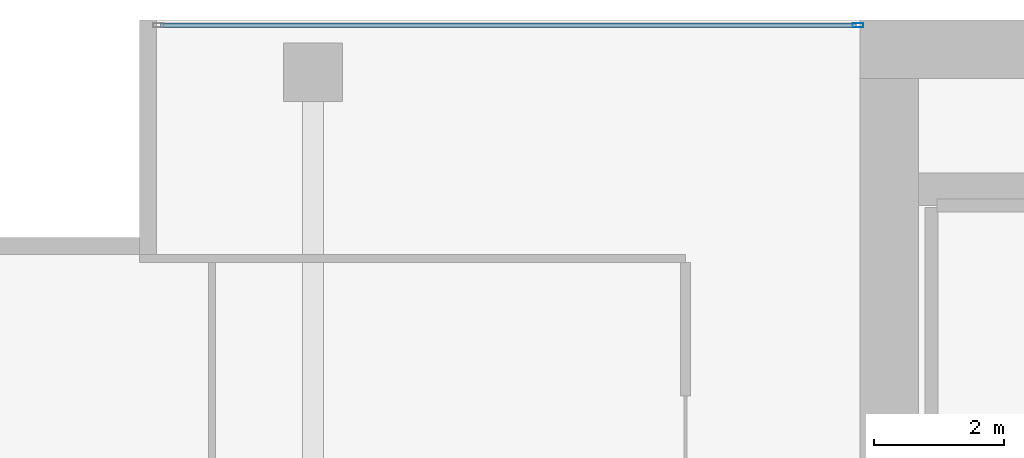
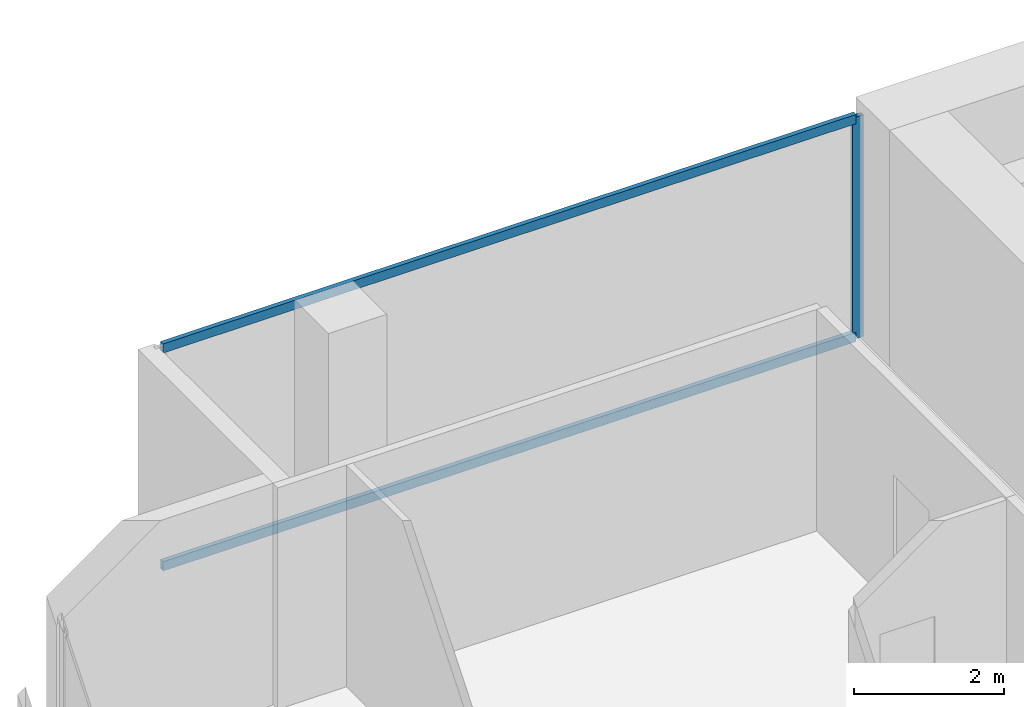
# One storey, part 26 of 40: 3 members, 1 element without a shape of its own.
"""IFC4 building model written with IfcOpenShell, lengths in metres."""

from ifc_helpers import new_model, si_unit, direction, frame, origin, origin_2d, place, context, subcontext, project, spatial, hollow_rectangle, extrude, material, layer, layer_set, material_profile, profile_set, type_object, element, aggregate, save


model = new_model("IFC4")

# Units and contexts
model_context = context("Model", 3, precision=1e-05, world=origin(), true_north=direction((0.0, 1.0)))
body_context = subcontext(model_context, "Body", "Model", "MODEL_VIEW")
ifc_project = project(units=[si_unit("LENGTHUNIT", "METRE"), si_unit("AREAUNIT", "SQUARE_METRE"), si_unit("VOLUMEUNIT", "CUBIC_METRE"), si_unit("PLANEANGLEUNIT", "RADIAN"), si_unit("MASSUNIT", "GRAM", prefix="KILO")], contexts=[model_context])

# Site, building, storey
site_placement = place(None, origin())
site = spatial("IfcSite", under=ifc_project, at=site_placement, CompositionType="ELEMENT")
building_placement = place(site_placement, origin())
building = spatial("IfcBuilding", under=site, at=building_placement, Name="Maruvema Waterfront Hotel and Observation Tower", CompositionType="ELEMENT")
storey_placement = place(building_placement, frame((0.0, 0.0, 107.800048828125)))
storey = spatial("IfcBuildingStorey", under=building, at=storey_placement, Name="L26", CompositionType="ELEMENT", Elevation=107.800048828125)

# Curtain wall, members
ifc_material_1 = material(Name="Anodised bronze aluminium and solar-control low-E IGU", Category="aluminium")
ifc_layer = layer(ifc_material_1, 0.159912109375, Name="Zone 1 Bronze Inner Thermal Curtain Wall System CW-02")
ifc_layer_set = layer_set([ifc_layer], Name="Anodised bronze aluminium and solar-control low-E IGU")
curtain_wall_type = type_object("IfcCurtainWallType", Name="Zone 1 Bronze Inner Thermal Curtain Wall System CW-02", PredefinedType="USERDEFINED", material=ifc_layer_set)
curtain_wall_placement = place(storey_placement, origin())
curtain_wall = element("IfcCurtainWall", 1, at=curtain_wall_placement, inside=storey, type_object=curtain_wall_type, Name="L26 Curtain Wall CW-L26-NW", ObjectType="UNITISED CURTAIN WALL", PredefinedType="USERDEFINED")
ifc_material_2 = material(Name="Anodised architectural bronze aluminium", Category="aluminium")
ifc_material_profile_1 = material_profile(ifc_material_2, hollow_rectangle(XDim=0.070068359375, YDim=0.14990234375, WallThickness=0.00390625, at=origin_2d()), Name="ALU-T70x150")
ifc_profile_set_1 = profile_set([ifc_material_profile_1], Name="Anodised architectural bronze aluminium")
member_type_1 = type_object("IfcMemberType", Name="Curtain Wall Horizontal Transom ALU-T70x150", PredefinedType="USERDEFINED", material=ifc_profile_set_1)
member_1_placement = place(storey_placement, frame((25.139892578125, 53.919921875, 0.030029296875), z_axis=(-1.0, 0.0, 0.0), x_axis=(0.0, -1.0, 0.0)))
member_1 = element("IfcMember", 2, at=member_1_placement, type_object=member_type_1, Name="CW-02 transom 1.1", ObjectType="TRANSOM", PredefinedType="USERDEFINED", context=body_context, shape_type="SweptSolid", body=[
    extrude(hollow_rectangle(XDim=0.070068359375, YDim=0.14990234375, WallThickness=0.00390625, at=origin_2d()), origin(), (0.0, 0.0, 1.0), 10.679931640625),
])
member_2_placement = place(storey_placement, frame((25.139892578125, 53.919921875, 3.579833984375), z_axis=(-1.0, 0.0, 0.0), x_axis=(0.0, -1.0, 0.0)))
member_2 = element("IfcMember", 3, at=member_2_placement, type_object=member_type_1, Name="CW-02 transom 1.2", ObjectType="TRANSOM", PredefinedType="USERDEFINED", context=body_context, shape_type="SweptSolid", body=[
    extrude(hollow_rectangle(XDim=0.070068359375, YDim=0.14990234375, WallThickness=0.00390625, at=origin_2d()), origin(), (0.0, 0.0, 1.0), 10.679931640625),
])
ifc_material_3 = material(Name="Anodised architectural bronze aluminium", Category="aluminium")
ifc_material_profile_2 = material_profile(ifc_material_3, hollow_rectangle(XDim=0.06494140625, YDim=0.1650390625, WallThickness=0.00390625, at=origin_2d()), Name="ALU-M65x165")
ifc_profile_set_2 = profile_set([ifc_material_profile_2], Name="Anodised architectural bronze aluminium")
member_type_2 = type_object("IfcMemberType", Name="Curtain Wall Primary Mullion ALU-M65x165", PredefinedType="MULLION", material=ifc_profile_set_2)
member_3_placement = place(storey_placement, frame((25.169921875, 53.919921875, 0.0), z_axis=(0.0, 0.0, 1.0), x_axis=(0.0, -1.0, 0.0)))
member_3 = element("IfcMember", 4, at=member_3_placement, type_object=member_type_2, Name="CW-02 mullion 1", PredefinedType="MULLION", context=body_context, shape_type="SweptSolid", body=[
    extrude(hollow_rectangle(XDim=0.06494140625, YDim=0.1650390625, WallThickness=0.00390625, at=origin_2d()), origin(), (0.0, 0.0, 1.0), 3.60986328125),
])
aggregate(curtain_wall, [member_3, member_1, member_2])

save(model, "model.ifc")
